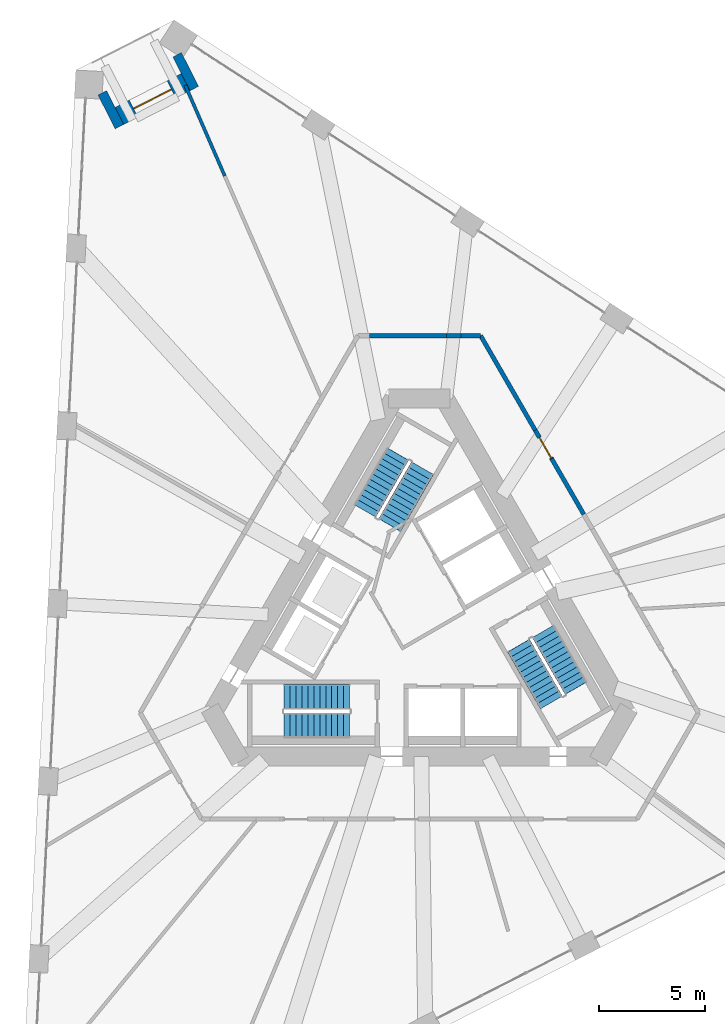
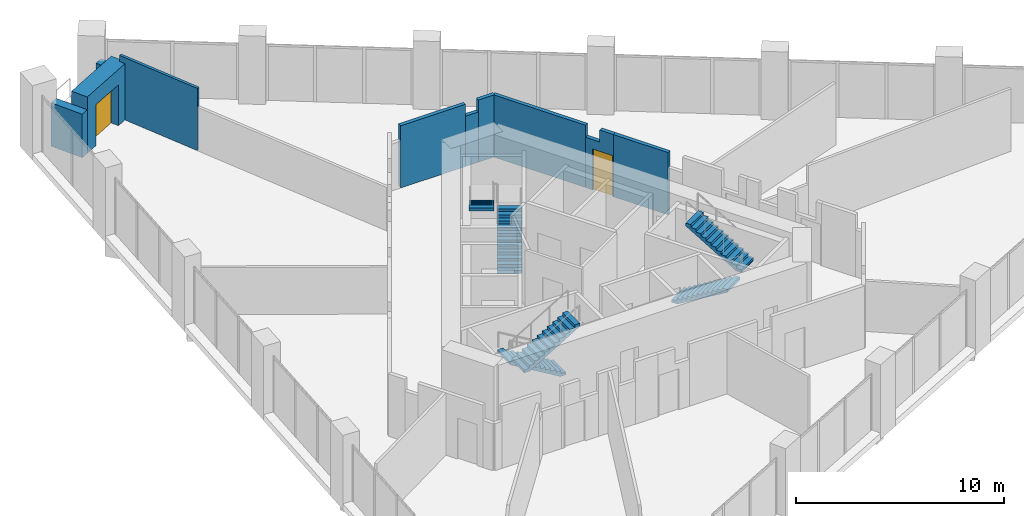
# One storey, part 14 of 18: 10 walls, 6 stair flights, 2 doors, 2 openings, 3 elements without a shape of their own.
"""IFC4 building model written with IfcOpenShell, lengths in metres."""

from ifc_helpers import new_model, si_unit, direction, frame, frame_2d, origin, place, context, subcontext, project, spatial, polyline, rectangle, outline, extrude, material, layer, layer_set, type_object, element, fill, aggregate, save


model = new_model("IFC4")

# Units and contexts
model_context = context("Model", 3, precision=1e-05, world=origin(), true_north=direction((0.0, 1.0)))
body_context = subcontext(model_context, "Body", "Model", "MODEL_VIEW")
ifc_project = project(units=[si_unit("LENGTHUNIT", "METRE"), si_unit("AREAUNIT", "SQUARE_METRE"), si_unit("VOLUMEUNIT", "CUBIC_METRE"), si_unit("PLANEANGLEUNIT", "RADIAN"), si_unit("MASSUNIT", "GRAM", prefix="KILO")], contexts=[model_context])

# Site, building, storey
site_placement = place(None, origin())
site = spatial("IfcSite", under=ifc_project, at=site_placement, CompositionType="ELEMENT")
building_placement = place(site_placement, origin())
building = spatial("IfcBuilding", under=site, at=building_placement, Name="Tramontana Tower", CompositionType="ELEMENT")
storey_placement = place(building_placement, frame((0.0, 0.0, 125.60009765625)))
storey = spatial("IfcBuildingStorey", under=building, at=storey_placement, Name="L28", CompositionType="ELEMENT", Elevation=125.60009765625)

# Wall
ifc_material_1 = material(Name="Blockwork", Category="masonry")
ifc_layer_1 = layer(ifc_material_1, 0.199951171875)
ifc_layer_set_1 = layer_set([ifc_layer_1], Name="ENTRY WALL 200")
wall_type_1 = type_object("IfcWallType", Name="ENTRY WALL 200", PredefinedType="SOLIDWALL", material=ifc_layer_set_1)
wall_1_placement = place(storey_placement, frame((2.88671875, 13.5, 0.0), z_axis=(0.0, 0.0, 1.0), x_axis=(0.50000466804, -0.866022708674, 0.0)))
element("IfcWall", 1, at=wall_1_placement, inside=storey, type_object=wall_type_1, Name="Wall ew0-0", PredefinedType="SOLIDWALL", context=body_context, shape_type="SweptSolid", body=[
    extrude(rectangle(XDim=5.14208984375, YDim=0.199951171875, at=frame_2d((2.571044921875, 0.0))), origin(), (0.0, 0.0, 1.0), 3.64990234375),
])

# Wall, opening, door
wall_2_placement = place(storey_placement, frame((6.230224609375, 7.708984375, 0.0), z_axis=(0.0, 0.0, 1.0), x_axis=(-0.500014285048, 0.866017156151, 0.0)))
wall_2 = element("IfcWall", 2, at=wall_2_placement, inside=storey, type_object=wall_type_1, Name="Wall ew0-1", PredefinedType="SOLIDWALL", context=body_context, shape_type="SweptSolid", body=[
    extrude(outline(polyline([(0.0, 0.0), (1.544921875, 0.0), (1.544921875, 2.949951171875), (0.75927734375, 2.949951171875), (0.75927734375, 3.64990234375), (0.0, 3.64990234375), (0.0, 0.0)])), frame((0.0, 0.10009765625, 0.0), z_axis=(0.0, -1.0, 0.0), x_axis=(1.0, 0.0, 0.0)), (0.0, 0.0, 1.0), 0.199951171875),
])
opening_1_placement = place(wall_2_placement, frame((0.050048828125, 0.0, 0.0)))
opening_1 = element("IfcOpeningElement", 3, at=opening_1_placement, cuts=wall_2, Name="Opening L28-01", PredefinedType="OPENING", context=body_context, shape_type="SweptSolid", body=[
    extrude(rectangle(XDim=1.10009765625, YDim=2.39990234375, at=frame_2d((0.550048828125, 1.199951171875))), frame((0.0, 0.10986328125, 0.0), z_axis=(0.0, -1.0, 0.0), x_axis=(1.0, 0.0, 0.0)), (0.0, 0.0, 1.0), 0.219970703125),
])
ifc_material_2 = material(Name="Painted timber", Category="wood")
door_type_1 = type_object("IfcDoorType", Name="DOOR ENTRY 1100", OperationType="SINGLE_SWING_LEFT", PredefinedType="DOOR", material=ifc_material_2)
door_1_placement = place(opening_1_placement, origin())
door_1 = element("IfcDoor", 4, at=door_1_placement, inside=storey, type_object=door_type_1, Name="Door L28-01", OperationType="SINGLE_SWING_LEFT", OverallHeight=2.39990234375, OverallWidth=1.10009765625, PredefinedType="DOOR", context=body_context, shape_type="SweptSolid", body=[
    extrude(rectangle(XDim=1.10009765625, YDim=2.39990234375, at=frame_2d((0.550048828125, 1.199951171875))), frame((0.0, 0.02490234375, 0.0), z_axis=(0.0, -1.0, 0.0), x_axis=(1.0, 0.0, 0.0)), (0.0, 0.0, 1.0), 0.050048828125),
])
fill(opening_1, door_1)

# Walls
wall_3_placement = place(storey_placement, frame((6.230224609375, 7.708984375, 0.0), z_axis=(0.0, 0.0, 1.0), x_axis=(0.499985689571, -0.866033665757, 0.0)))
element("IfcWall", 5, at=wall_3_placement, inside=storey, type_object=wall_type_1, Name="Wall ew0-2", PredefinedType="SOLIDWALL", context=body_context, shape_type="SweptSolid", body=[
    extrude(rectangle(XDim=3.02392578125, YDim=0.199951171875, at=frame_2d((1.511962890625, 0.0))), origin(), (0.0, 0.0, 1.0), 3.64990234375),
])
wall_4_placement = place(storey_placement, frame((-2.33349609375, 13.5, 0.0), z_axis=(0.0, 0.0, 1.0), x_axis=(1.0, 0.0, 0.0)))
element("IfcWall", 6, at=wall_4_placement, inside=storey, type_object=wall_type_1, Name="Wall ew5-1", PredefinedType="SOLIDWALL", context=body_context, shape_type="SweptSolid", body=[
    extrude(rectangle(XDim=3.6025390625, YDim=0.199951171875, at=frame_2d((1.80126953125, 0.0))), origin(), (0.0, 0.0, 1.0), 3.64990234375),
])
wall_5_placement = place(storey_placement, frame((1.26904296875, 13.5, 0.0), z_axis=(0.0, 0.0, 1.0), x_axis=(1.0, 0.0, 0.0)))
element("IfcWall", 7, at=wall_5_placement, inside=storey, type_object=wall_type_1, Name="Wall ew5-2", PredefinedType="SOLIDWALL", context=body_context, shape_type="SweptSolid", body=[
    extrude(rectangle(XDim=0.704833984375, YDim=0.199951171875, at=frame_2d((0.3525390625, 0.0))), origin(), (0.0, 0.0, 1.0), 2.949951171875),
])
wall_6_placement = place(storey_placement, frame((1.973876953125, 13.5, 0.0), z_axis=(0.0, 0.0, 1.0), x_axis=(1.0, 0.0, 0.0)))
element("IfcWall", 8, at=wall_6_placement, inside=storey, type_object=wall_type_1, Name="Wall ew5-3", PredefinedType="SOLIDWALL", context=body_context, shape_type="SweptSolid", body=[
    extrude(rectangle(XDim=0.912841796875, YDim=0.199951171875, at=frame_2d((0.45654296875, 0.0))), origin(), (0.0, 0.0, 1.0), 3.64990234375),
])
ifc_material_3 = material(Name="Precast concrete 60 MPa", Category="concrete")
ifc_layer_2 = layer(ifc_material_3, 0.449951171875)
ifc_layer_set_2 = layer_set([ifc_layer_2], Name="Precast concrete 60 MPa, 450 mm")
wall_type_2 = type_object("IfcWallType", Name="EW1 Stone-faced precast wall 450", PredefinedType="SOLIDWALL", material=ifc_layer_set_2)
for number, where, z_axis, x_axis, name in (
    (9, (-14.916015625, 24.924072265625, 0.0), (0.0, 0.0, 1.0), (0.453952505513, -0.891025882193, 0.0), "Corner loggia side wall L28 K30l"),
    (10, (-11.396484375, 26.71728515625, 0.0), (0.0, 0.0, 1.0), (0.453952505513, -0.891025882193, 0.0), "Corner loggia side wall L28 K30r"),
):
    element("IfcWall", number, at=place(storey_placement, frame(where, z_axis=z_axis, x_axis=x_axis)), inside=storey, type_object=wall_type_2, Name=name, PredefinedType="SOLIDWALL", context=body_context, shape_type="SweptSolid", body=[
        extrude(rectangle(XDim=1.779052734375, YDim=0.449951171875, at=frame_2d((0.8896484375, 0.0))), origin(), (0.0, 0.0, 1.0), 2.5498046875),
    ])

# Wall, opening, door
ifc_material_4 = material(Name="Precast concrete 60 MPa", Category="concrete")
ifc_layer_3 = layer(ifc_material_4, 0.89990234375)
ifc_layer_set_3 = layer_set([ifc_layer_3], Name="EW2 Stone-faced corner loggia wall 900")
wall_type_3 = type_object("IfcWallType", Name="EW2 Stone-faced corner loggia wall 900", PredefinedType="SOLIDWALL", material=ifc_layer_set_3)
wall_7_placement = place(storey_placement, frame((-14.112060546875, 23.841796875, 0.0), z_axis=(0.0, 0.0, 1.0), x_axis=(0.890983062796, 0.454036542374, 0.0)))
wall_7 = element("IfcWall", 11, at=wall_7_placement, inside=storey, type_object=wall_type_3, Name="Corner loggia wall L28 K30", PredefinedType="SOLIDWALL", context=body_context, shape_type="SweptSolid", body=[
    extrude(rectangle(XDim=3.5, YDim=0.89990234375, at=frame_2d((1.75, 0.0))), origin(), (0.0, 0.0, 1.0), 3.2998046875),
])
opening_2_placement = place(wall_7_placement, frame((0.75, 0.0, 0.0)))
opening_2 = element("IfcOpeningElement", 12, at=opening_2_placement, cuts=wall_7, Name="Opening BD-30C", PredefinedType="OPENING", context=body_context, shape_type="SweptSolid", body=[
    extrude(rectangle(XDim=2.0, YDim=2.39990234375, at=frame_2d((1.0, 1.199951171875))), frame((0.0, 0.4599609375, 0.0), z_axis=(0.0, -1.0, 0.0), x_axis=(1.0, 0.0, 0.0)), (0.0, 0.0, 1.0), 0.919921875),
])
ifc_material_5 = material(Name="Aluminum frame, double glazing unit", Category="aluminium")
door_type_2 = type_object("IfcDoorType", Name="BC1 Sliding door 2 x 2.4", OperationType="SLIDING_TO_LEFT", PredefinedType="DOOR", material=ifc_material_5)
door_2_placement = place(opening_2_placement, origin())
door_2 = element("IfcDoor", 13, at=door_2_placement, inside=storey, type_object=door_type_2, Name="Corner loggia door L28 K30", OperationType="SLIDING_TO_LEFT", OverallHeight=2.39990234375, OverallWidth=2.0, PredefinedType="DOOR", context=body_context, shape_type="SweptSolid", body=[
    extrude(rectangle(XDim=2.0, YDim=2.39990234375, at=frame_2d((1.0, 1.199951171875))), frame((0.0, 0.02490234375, 0.0), z_axis=(0.0, -1.0, 0.0), x_axis=(1.0, 0.0, 0.0)), (0.0, 0.0, 1.0), 0.050048828125),
])
fill(opening_2, door_2)

# Wall
ifc_material_6 = material(Name="Gypsum board partition")
ifc_layer_4 = layer(ifc_material_6, 0.14990234375)
ifc_layer_set_4 = layer_set([ifc_layer_4], Name="PARTITION 150")
wall_type_4 = type_object("IfcWallType", Name="PARTITION 150", PredefinedType="PARTITIONING", material=ifc_layer_set_4)
wall_8_placement = place(storey_placement, frame((-9.15380859375, 21.015380859375, 0.0), z_axis=(0.0, 0.0, 1.0), x_axis=(-0.399333563101, 0.916805707542, 0.0)))
element("IfcWall", 14, at=wall_8_placement, inside=storey, type_object=wall_type_4, Name="Wall fw-pw03-1", PredefinedType="PARTITIONING", context=body_context, shape_type="SweptSolid", body=[
    extrude(rectangle(XDim=4.657958984375, YDim=0.14990234375, at=frame_2d((2.3291015625, 0.0))), origin(), (0.0, 0.0, 1.0), 3.64990234375),
])

# Stair, stair flights
ifc_material_7 = material(Name="Concrete 40 MPa", Category="concrete")
stair_type = type_object("IfcStairType", Name="EXIT STAIR 24 RISERS", PredefinedType="HALF_TURN_STAIR", material=ifc_material_7)
stair_1_placement = place(storey_placement, origin())
stair_1 = element("IfcStair", 15, at=stair_1_placement, inside=storey, type_object=stair_type, Name="L28 Exit stair ST1", PredefinedType="HALF_TURN_STAIR")
ifc_material_8 = material(Name="Concrete 40 MPa", Category="concrete")
ifc_layer_5 = layer(ifc_material_8, 0.14990234375)
ifc_layer_set_5 = layer_set([ifc_layer_5], Name="EXIT STAIR FLIGHT")
stair_flight_type = type_object("IfcStairFlightType", Name="EXIT STAIR FLIGHT", PredefinedType="STRAIGHT", material=ifc_layer_set_5)
stair_flight_1_placement = place(storey_placement, frame((-1.39111328125, 4.590576171875, 0.0), z_axis=(0.0, 0.0, 1.0), x_axis=(0.5, 0.866025403784, 0.0)))
stair_flight_1 = element("IfcStairFlight", 16, at=stair_flight_1_placement, type_object=stair_flight_type, Name="ST1 flight 1", NumberOfRisers=12, NumberOfTreads=11, PredefinedType="STRAIGHT", RiserHeight=0.166666667, TreadLength=0.28, context=body_context, shape_type="SweptSolid", body=[
    extrude(outline(polyline([(-0.006103515625, 0.0), (-0.006103515625, 0.0400390625), (0.0, 0.0400390625), (0.0, 0.166748046875), (0.280029296875, 0.166748046875), (0.280029296875, 0.333251953125), (0.56005859375, 0.333251953125), (0.56005859375, 0.5), (0.840087890625, 0.5), (0.840087890625, 0.666748046875), (1.1201171875, 0.666748046875), (1.1201171875, 0.833251953125), (1.39990234375, 0.833251953125), (1.39990234375, 1.0), (1.679931640625, 1.0), (1.679931640625, 1.166748046875), (1.9599609375, 1.166748046875), (1.9599609375, 1.333251953125), (2.239990234375, 1.333251953125), (2.239990234375, 1.5), (2.52001953125, 1.5), (2.52001953125, 1.666748046875), (2.800048828125, 1.666748046875), (2.800048828125, 1.833251953125), (3.080078125, 1.833251953125), (3.0859375, 1.833251953125), (3.0859375, 1.658935546875), (0.299072265625, 0.0), (-0.006103515625, 0.0)])), frame((0.0, 0.60009765625, 0.0), z_axis=(0.0, -1.0, 0.0), x_axis=(1.0, 0.0, 0.0)), (0.0, 0.0, 1.0), 1.199951171875),
])
stair_flight_2_placement = place(storey_placement, frame((-1.020263671875, 7.932861328125, 2.0), z_axis=(0.0, 0.0, 1.0), x_axis=(-0.5, -0.866025403784, 0.0)))
stair_flight_2 = element("IfcStairFlight", 17, at=stair_flight_2_placement, type_object=stair_flight_type, Name="ST1 flight 2", NumberOfRisers=12, NumberOfTreads=11, PredefinedType="STRAIGHT", RiserHeight=0.166666667, TreadLength=0.28, context=body_context, shape_type="SweptSolid", body=[
    extrude(outline(polyline([(-0.006103515625, 0.0), (-0.006103515625, 0.0400390625), (0.0, 0.0400390625), (0.0, 0.166748046875), (0.280029296875, 0.166748046875), (0.280029296875, 0.333251953125), (0.56005859375, 0.333251953125), (0.56005859375, 0.5), (0.840087890625, 0.5), (0.840087890625, 0.666748046875), (1.1201171875, 0.666748046875), (1.1201171875, 0.833251953125), (1.39990234375, 0.833251953125), (1.39990234375, 1.0), (1.679931640625, 1.0), (1.679931640625, 1.166748046875), (1.9599609375, 1.166748046875), (1.9599609375, 1.333251953125), (2.239990234375, 1.333251953125), (2.239990234375, 1.5), (2.52001953125, 1.5), (2.52001953125, 1.666748046875), (2.800048828125, 1.666748046875), (2.800048828125, 1.833251953125), (3.080078125, 1.833251953125), (3.0859375, 1.833251953125), (3.0859375, 1.658935546875), (0.299072265625, 0.0), (-0.006103515625, 0.0)])), frame((0.0, 0.60009765625, 0.0), z_axis=(0.0, -1.0, 0.0), x_axis=(1.0, 0.0, 0.0)), (0.0, 0.0, 1.0), 1.199951171875),
])
aggregate(stair_1, [stair_flight_1, stair_flight_2])

stair_2_placement = place(storey_placement, origin())
stair_2 = element("IfcStair", 18, at=stair_2_placement, inside=storey, type_object=stair_type, Name="L28 Exit stair ST2", PredefinedType="HALF_TURN_STAIR")
stair_flight_3_placement = place(storey_placement, frame((-3.280029296875, -3.5, 0.0), z_axis=(0.0, 0.0, 1.0), x_axis=(-1.0, 0.0, 0.0)))
stair_flight_3 = element("IfcStairFlight", 19, at=stair_flight_3_placement, type_object=stair_flight_type, Name="ST2 flight 1", NumberOfRisers=12, NumberOfTreads=11, PredefinedType="STRAIGHT", RiserHeight=0.166666667, TreadLength=0.28, context=body_context, shape_type="SweptSolid", body=[
    extrude(outline(polyline([(-0.006103515625, 0.0), (-0.006103515625, 0.0400390625), (0.0, 0.0400390625), (0.0, 0.166748046875), (0.280029296875, 0.166748046875), (0.280029296875, 0.333251953125), (0.56005859375, 0.333251953125), (0.56005859375, 0.5), (0.840087890625, 0.5), (0.840087890625, 0.666748046875), (1.1201171875, 0.666748046875), (1.1201171875, 0.833251953125), (1.39990234375, 0.833251953125), (1.39990234375, 1.0), (1.679931640625, 1.0), (1.679931640625, 1.166748046875), (1.9599609375, 1.166748046875), (1.9599609375, 1.333251953125), (2.239990234375, 1.333251953125), (2.239990234375, 1.5), (2.52001953125, 1.5), (2.52001953125, 1.666748046875), (2.800048828125, 1.666748046875), (2.800048828125, 1.833251953125), (3.080078125, 1.833251953125), (3.0859375, 1.833251953125), (3.0859375, 1.658935546875), (0.299072265625, 0.0), (-0.006103515625, 0.0)])), frame((0.0, 0.60009765625, 0.0), z_axis=(0.0, -1.0, 0.0), x_axis=(1.0, 0.0, 0.0)), (0.0, 0.0, 1.0), 1.199951171875),
])
stair_flight_4_placement = place(storey_placement, frame((-6.360107421875, -4.85009765625, 2.0), z_axis=(0.0, 0.0, 1.0), x_axis=(1.0, 0.0, 0.0)))
stair_flight_4 = element("IfcStairFlight", 20, at=stair_flight_4_placement, type_object=stair_flight_type, Name="ST2 flight 2", NumberOfRisers=12, NumberOfTreads=11, PredefinedType="STRAIGHT", RiserHeight=0.166666667, TreadLength=0.28, context=body_context, shape_type="SweptSolid", body=[
    extrude(outline(polyline([(-0.006103515625, 0.0), (-0.006103515625, 0.0400390625), (0.0, 0.0400390625), (0.0, 0.166748046875), (0.280029296875, 0.166748046875), (0.280029296875, 0.333251953125), (0.56005859375, 0.333251953125), (0.56005859375, 0.5), (0.840087890625, 0.5), (0.840087890625, 0.666748046875), (1.1201171875, 0.666748046875), (1.1201171875, 0.833251953125), (1.39990234375, 0.833251953125), (1.39990234375, 1.0), (1.679931640625, 1.0), (1.679931640625, 1.166748046875), (1.9599609375, 1.166748046875), (1.9599609375, 1.333251953125), (2.239990234375, 1.333251953125), (2.239990234375, 1.5), (2.52001953125, 1.5), (2.52001953125, 1.666748046875), (2.800048828125, 1.666748046875), (2.800048828125, 1.833251953125), (3.080078125, 1.833251953125), (3.0859375, 1.833251953125), (3.0859375, 1.658935546875), (0.299072265625, 0.0), (-0.006103515625, 0.0)])), frame((0.0, 0.60009765625, 0.0), z_axis=(0.0, -1.0, 0.0), x_axis=(1.0, 0.0, 0.0)), (0.0, 0.0, 1.0), 1.199951171875),
])
aggregate(stair_2, [stair_flight_3, stair_flight_4])

stair_3_placement = place(storey_placement, origin())
stair_3 = element("IfcStair", 21, at=stair_3_placement, inside=storey, type_object=stair_type, Name="L28 Exit stair ST3", PredefinedType="HALF_TURN_STAIR")
stair_flight_5_placement = place(storey_placement, frame((4.671142578125, -1.090576171875, 0.0), z_axis=(0.0, 0.0, 1.0), x_axis=(0.5, -0.866025403784, 0.0)))
stair_flight_5 = element("IfcStairFlight", 22, at=stair_flight_5_placement, type_object=stair_flight_type, Name="ST3 flight 1", NumberOfRisers=12, NumberOfTreads=11, PredefinedType="STRAIGHT", RiserHeight=0.166666667, TreadLength=0.28, context=body_context, shape_type="SweptSolid", body=[
    extrude(outline(polyline([(-0.006103515625, 0.0), (-0.006103515625, 0.0400390625), (0.0, 0.0400390625), (0.0, 0.166748046875), (0.280029296875, 0.166748046875), (0.280029296875, 0.333251953125), (0.56005859375, 0.333251953125), (0.56005859375, 0.5), (0.840087890625, 0.5), (0.840087890625, 0.666748046875), (1.1201171875, 0.666748046875), (1.1201171875, 0.833251953125), (1.39990234375, 0.833251953125), (1.39990234375, 1.0), (1.679931640625, 1.0), (1.679931640625, 1.166748046875), (1.9599609375, 1.166748046875), (1.9599609375, 1.333251953125), (2.239990234375, 1.333251953125), (2.239990234375, 1.5), (2.52001953125, 1.5), (2.52001953125, 1.666748046875), (2.800048828125, 1.666748046875), (2.800048828125, 1.833251953125), (3.080078125, 1.833251953125), (3.0859375, 1.833251953125), (3.0859375, 1.658935546875), (0.299072265625, 0.0), (-0.006103515625, 0.0)])), frame((0.0, 0.60009765625, 0.0), z_axis=(0.0, -1.0, 0.0), x_axis=(1.0, 0.0, 0.0)), (0.0, 0.0, 1.0), 1.199951171875),
])
stair_flight_6_placement = place(storey_placement, frame((7.380126953125, -3.0830078125, 2.0), z_axis=(0.0, 0.0, 1.0), x_axis=(-0.5, 0.866025403784, 0.0)))
stair_flight_6 = element("IfcStairFlight", 23, at=stair_flight_6_placement, type_object=stair_flight_type, Name="ST3 flight 2", NumberOfRisers=12, NumberOfTreads=11, PredefinedType="STRAIGHT", RiserHeight=0.166666667, TreadLength=0.28, context=body_context, shape_type="SweptSolid", body=[
    extrude(outline(polyline([(-0.006103515625, 0.0), (-0.006103515625, 0.0400390625), (0.0, 0.0400390625), (0.0, 0.166748046875), (0.280029296875, 0.166748046875), (0.280029296875, 0.333251953125), (0.56005859375, 0.333251953125), (0.56005859375, 0.5), (0.840087890625, 0.5), (0.840087890625, 0.666748046875), (1.1201171875, 0.666748046875), (1.1201171875, 0.833251953125), (1.39990234375, 0.833251953125), (1.39990234375, 1.0), (1.679931640625, 1.0), (1.679931640625, 1.166748046875), (1.9599609375, 1.166748046875), (1.9599609375, 1.333251953125), (2.239990234375, 1.333251953125), (2.239990234375, 1.5), (2.52001953125, 1.5), (2.52001953125, 1.666748046875), (2.800048828125, 1.666748046875), (2.800048828125, 1.833251953125), (3.080078125, 1.833251953125), (3.0859375, 1.833251953125), (3.0859375, 1.658935546875), (0.299072265625, 0.0), (-0.006103515625, 0.0)])), frame((0.0, 0.60009765625, 0.0), z_axis=(0.0, -1.0, 0.0), x_axis=(1.0, 0.0, 0.0)), (0.0, 0.0, 1.0), 1.199951171875),
])
aggregate(stair_3, [stair_flight_5, stair_flight_6])

save(model, "model.ifc")
